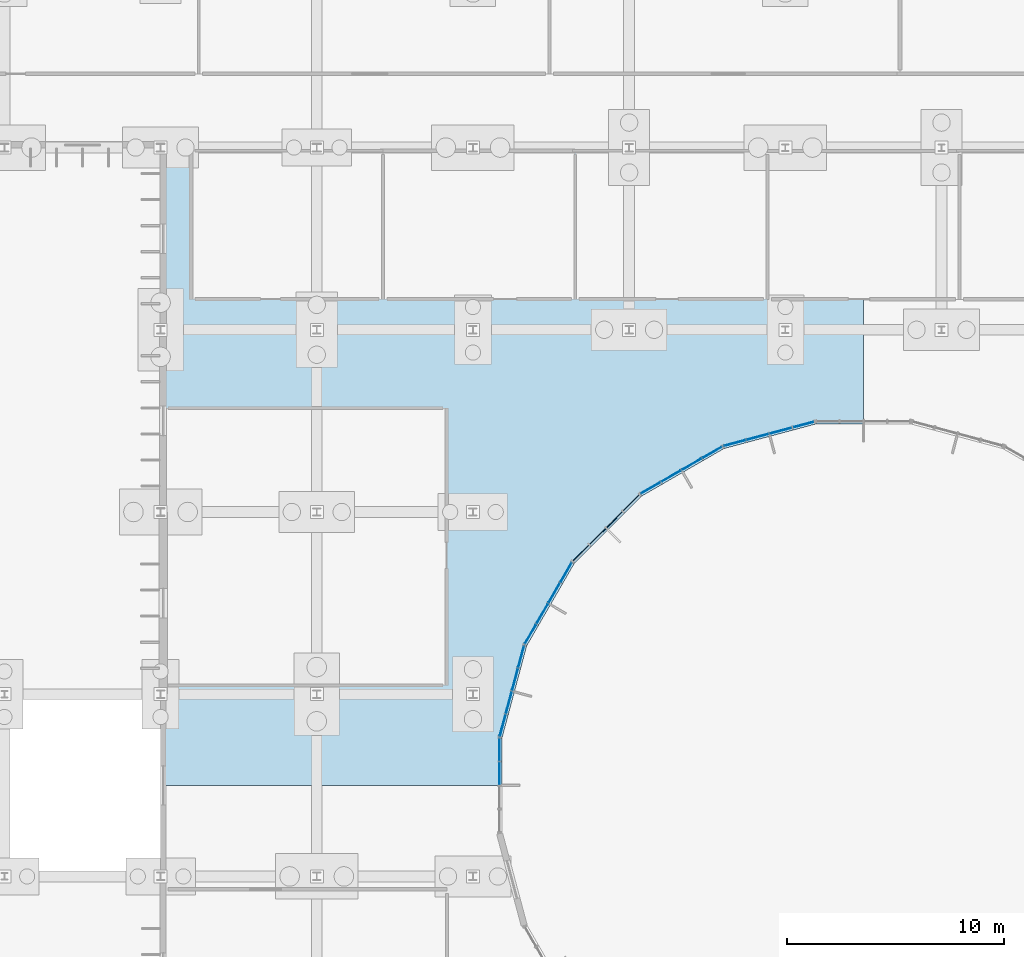
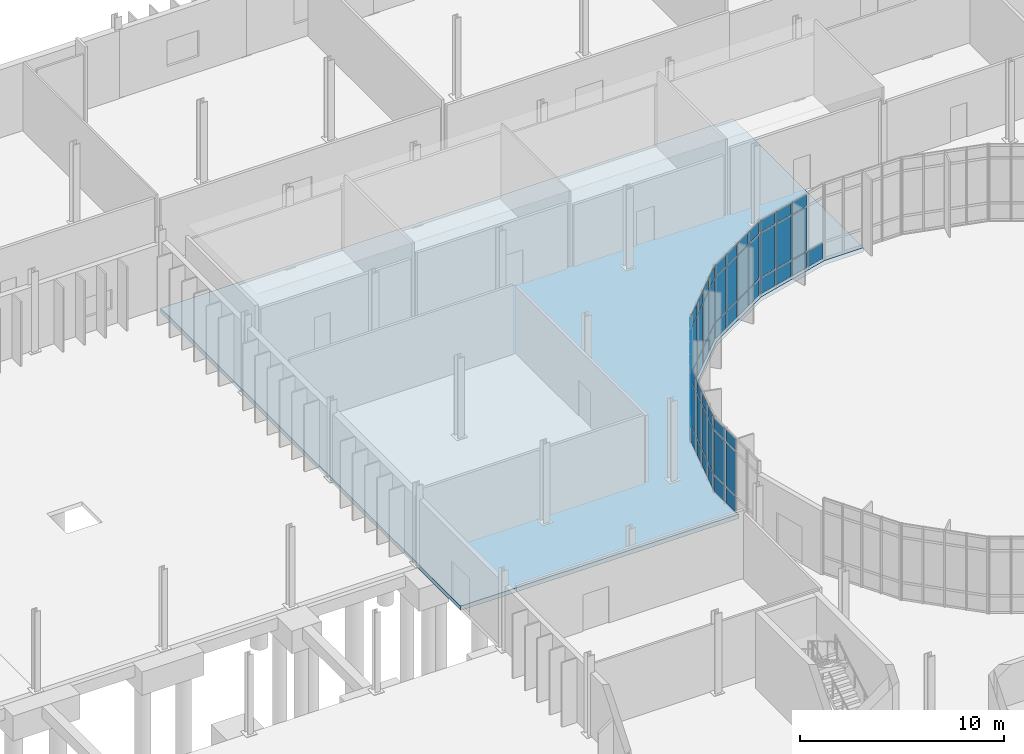
# One storey, part 63 of 118: 64 plates, 1 slab, 6 elements without a shape of their own.
"""IFC4 building model written with IfcOpenShell, lengths in metres."""

from ifc_helpers import new_model, si_unit, direction, frame, origin, origin_2d, place, context, subcontext, project, spatial, polyline, rectangle, outline, extrude, material, layer, layer_set, type_object, element, aggregate, save


model = new_model("IFC4")

# Units and contexts
model_context = context("Model", 3, precision=1e-05, world=origin(), true_north=direction((0.0, 1.0)))
body_context = subcontext(model_context, "Body", "Model", "MODEL_VIEW")
ifc_project = project(units=[si_unit("LENGTHUNIT", "METRE"), si_unit("AREAUNIT", "SQUARE_METRE"), si_unit("VOLUMEUNIT", "CUBIC_METRE"), si_unit("PLANEANGLEUNIT", "RADIAN"), si_unit("MASSUNIT", "GRAM", prefix="KILO")], contexts=[model_context])

# Site, building, storey
site_placement = place(None, origin())
site = spatial("IfcSite", under=ifc_project, at=site_placement, CompositionType="ELEMENT")
building_placement = place(site_placement, origin())
building = spatial("IfcBuilding", under=site, at=building_placement, Name="Qelthora Terrace Specialist Clinic", CompositionType="ELEMENT")
storey_placement = place(building_placement, origin())
storey = spatial("IfcBuildingStorey", under=building, at=storey_placement, Name="L00", CompositionType="ELEMENT", Elevation=0.0)

# Curtain wall, plates
ifc_material_1 = material(Name="Aluminium anodized bronze", Category="aluminium")
curtain_wall_type = type_object("IfcCurtainWallType", Name="CW-CRTE-L00", PredefinedType="NOTDEFINED", material=ifc_material_1)
curtain_wall_1_placement = place(storey_placement, origin())
curtain_wall_1 = element("IfcCurtainWall", 1, at=curtain_wall_1_placement, inside=storey, type_object=curtain_wall_type, Name="Curtain wall CW-CE-L00-07", PredefinedType="NOTDEFINED")
ifc_material_2 = material(Name="Low-E triple-silver insulating glass", Category="glass")
ifc_layer_1 = layer(ifc_material_2, 0.035888671875)
ifc_layer_set_1 = layer_set([ifc_layer_1], Name="Low-E triple-silver insulating glass")
plate_type = type_object("IfcPlateType", Name="CWP-IGU-36", PredefinedType="CURTAIN_PANEL", material=ifc_layer_set_1)
plate_1_placement = place(storey_placement, frame((123.24658203125, 79.63037109375, 0.0849609375), z_axis=(0.0, 0.0, 1.0), x_axis=(-0.965925826289, -0.258819045103, 0.0)))
plate_1 = element("IfcPlate", 2, at=plate_1_placement, type_object=plate_type, Name="CW-CE-L00-07 glazed panel 1", PredefinedType="CURTAIN_PANEL", context=body_context, shape_type="SweptSolid", body=[
    extrude(rectangle(XDim=0.996337890625, YDim=0.035888671875, at=origin_2d()), origin(), (0.0, 0.0, 1.0), 0.919921875),
])
plate_2_placement = place(storey_placement, frame((122.1875, 79.346435546875, 0.0849609375), z_axis=(0.0, 0.0, 1.0), x_axis=(-0.965925826289, -0.258819045103, 0.0)))
plate_2 = element("IfcPlate", 3, at=plate_2_placement, type_object=plate_type, Name="CW-CE-L00-07 glazed panel 4", PredefinedType="CURTAIN_PANEL", context=body_context, shape_type="SweptSolid", body=[
    extrude(rectangle(XDim=0.996337890625, YDim=0.035888671875, at=origin_2d()), origin(), (0.0, 0.0, 1.0), 0.919921875),
])
plate_3_placement = place(storey_placement, frame((122.1875, 79.346435546875, 1.094970703125), z_axis=(0.0, 0.0, 1.0), x_axis=(-0.965925826289, -0.258819045103, 0.0)))
plate_3 = element("IfcPlate", 4, at=plate_3_placement, type_object=plate_type, Name="CW-CE-L00-07 glazed panel 5", PredefinedType="CURTAIN_PANEL", context=body_context, shape_type="SweptSolid", body=[
    extrude(rectangle(XDim=0.996337890625, YDim=0.035888671875, at=origin_2d()), origin(), (0.0, 0.0, 1.0), 2.60498046875),
])
plate_4_placement = place(storey_placement, frame((122.1875, 79.346435546875, 3.7900390625), z_axis=(0.0, 0.0, 1.0), x_axis=(-0.965925826289, -0.258819045103, 0.0)))
plate_4 = element("IfcPlate", 5, at=plate_4_placement, type_object=plate_type, Name="CW-CE-L00-07 glazed panel 6", PredefinedType="CURTAIN_PANEL", context=body_context, shape_type="SweptSolid", body=[
    extrude(rectangle(XDim=0.996337890625, YDim=0.035888671875, at=origin_2d()), origin(), (0.0, 0.0, 1.0), 0.669921875),
])
plate_5_placement = place(storey_placement, frame((121.12841796875, 79.062744140625, 0.0849609375), z_axis=(0.0, 0.0, 1.0), x_axis=(-0.965925826289, -0.258819045103, 0.0)))
plate_5 = element("IfcPlate", 6, at=plate_5_placement, type_object=plate_type, Name="CW-CE-L00-07 glazed panel 7", PredefinedType="CURTAIN_PANEL", context=body_context, shape_type="SweptSolid", body=[
    extrude(rectangle(XDim=0.996337890625, YDim=0.035888671875, at=origin_2d()), origin(), (0.0, 0.0, 1.0), 0.919921875),
])
plate_6_placement = place(storey_placement, frame((121.12841796875, 79.062744140625, 1.094970703125), z_axis=(0.0, 0.0, 1.0), x_axis=(-0.965925826289, -0.258819045103, 0.0)))
plate_6 = element("IfcPlate", 7, at=plate_6_placement, type_object=plate_type, Name="CW-CE-L00-07 glazed panel 8", PredefinedType="CURTAIN_PANEL", context=body_context, shape_type="SweptSolid", body=[
    extrude(rectangle(XDim=0.996337890625, YDim=0.035888671875, at=origin_2d()), origin(), (0.0, 0.0, 1.0), 2.60498046875),
])
plate_7_placement = place(storey_placement, frame((121.12841796875, 79.062744140625, 3.7900390625), z_axis=(0.0, 0.0, 1.0), x_axis=(-0.965925826289, -0.258819045103, 0.0)))
plate_7 = element("IfcPlate", 8, at=plate_7_placement, type_object=plate_type, Name="CW-CE-L00-07 glazed panel 9", PredefinedType="CURTAIN_PANEL", context=body_context, shape_type="SweptSolid", body=[
    extrude(rectangle(XDim=0.996337890625, YDim=0.035888671875, at=origin_2d()), origin(), (0.0, 0.0, 1.0), 0.669921875),
])
plate_8_placement = place(storey_placement, frame((120.0693359375, 78.779052734375, 0.0849609375), z_axis=(0.0, 0.0, 1.0), x_axis=(-0.965925826289, -0.258819045103, 0.0)))
plate_8 = element("IfcPlate", 9, at=plate_8_placement, type_object=plate_type, Name="CW-CE-L00-07 glazed panel 10", PredefinedType="CURTAIN_PANEL", context=body_context, shape_type="SweptSolid", body=[
    extrude(rectangle(XDim=0.996337890625, YDim=0.035888671875, at=origin_2d()), origin(), (0.0, 0.0, 1.0), 0.919921875),
])
plate_9_placement = place(storey_placement, frame((120.0693359375, 78.779052734375, 1.094970703125), z_axis=(0.0, 0.0, 1.0), x_axis=(-0.965925826289, -0.258819045103, 0.0)))
plate_9 = element("IfcPlate", 10, at=plate_9_placement, type_object=plate_type, Name="CW-CE-L00-07 glazed panel 11", PredefinedType="CURTAIN_PANEL", context=body_context, shape_type="SweptSolid", body=[
    extrude(rectangle(XDim=0.996337890625, YDim=0.035888671875, at=origin_2d()), origin(), (0.0, 0.0, 1.0), 2.60498046875),
])
plate_10_placement = place(storey_placement, frame((120.0693359375, 78.779052734375, 3.7900390625), z_axis=(0.0, 0.0, 1.0), x_axis=(-0.965925826289, -0.258819045103, 0.0)))
plate_10 = element("IfcPlate", 11, at=plate_10_placement, type_object=plate_type, Name="CW-CE-L00-07 glazed panel 12", PredefinedType="CURTAIN_PANEL", context=body_context, shape_type="SweptSolid", body=[
    extrude(rectangle(XDim=0.996337890625, YDim=0.035888671875, at=origin_2d()), origin(), (0.0, 0.0, 1.0), 0.669921875),
])
aggregate(curtain_wall_1, [plate_1, plate_2, plate_3, plate_4, plate_5, plate_6, plate_7, plate_8, plate_9, plate_10])

curtain_wall_2_placement = place(storey_placement, origin())
curtain_wall_2 = element("IfcCurtainWall", 12, at=curtain_wall_2_placement, inside=storey, type_object=curtain_wall_type, Name="Curtain wall CW-CE-L00-08", PredefinedType="NOTDEFINED")
plate_11_placement = place(storey_placement, frame((119.0361328125, 78.35107421875, 0.0849609375), z_axis=(0.0, 0.0, 1.0), x_axis=(-0.866025403784, -0.5, 0.0)))
plate_11 = element("IfcPlate", 13, at=plate_11_placement, type_object=plate_type, Name="CW-CE-L00-08 glazed panel 1", PredefinedType="CURTAIN_PANEL", context=body_context, shape_type="SweptSolid", body=[
    extrude(rectangle(XDim=0.996337890625, YDim=0.035888671875, at=origin_2d()), origin(), (0.0, 0.0, 1.0), 0.919921875),
])
plate_12_placement = place(storey_placement, frame((119.0361328125, 78.35107421875, 1.094970703125), z_axis=(0.0, 0.0, 1.0), x_axis=(-0.866025403784, -0.5, 0.0)))
plate_12 = element("IfcPlate", 14, at=plate_12_placement, type_object=plate_type, Name="CW-CE-L00-08 glazed panel 2", PredefinedType="CURTAIN_PANEL", context=body_context, shape_type="SweptSolid", body=[
    extrude(rectangle(XDim=0.996337890625, YDim=0.035888671875, at=origin_2d()), origin(), (0.0, 0.0, 1.0), 2.60498046875),
])
plate_13_placement = place(storey_placement, frame((119.0361328125, 78.35107421875, 3.7900390625), z_axis=(0.0, 0.0, 1.0), x_axis=(-0.866025403784, -0.5, 0.0)))
plate_13 = element("IfcPlate", 15, at=plate_13_placement, type_object=plate_type, Name="CW-CE-L00-08 glazed panel 3", PredefinedType="CURTAIN_PANEL", context=body_context, shape_type="SweptSolid", body=[
    extrude(rectangle(XDim=0.996337890625, YDim=0.035888671875, at=origin_2d()), origin(), (0.0, 0.0, 1.0), 0.669921875),
])
plate_14_placement = place(storey_placement, frame((118.086669921875, 77.802734375, 0.0849609375), z_axis=(0.0, 0.0, 1.0), x_axis=(-0.866025403784, -0.5, 0.0)))
plate_14 = element("IfcPlate", 16, at=plate_14_placement, type_object=plate_type, Name="CW-CE-L00-08 glazed panel 4", PredefinedType="CURTAIN_PANEL", context=body_context, shape_type="SweptSolid", body=[
    extrude(rectangle(XDim=0.996337890625, YDim=0.035888671875, at=origin_2d()), origin(), (0.0, 0.0, 1.0), 0.919921875),
])
plate_15_placement = place(storey_placement, frame((118.086669921875, 77.802734375, 1.094970703125), z_axis=(0.0, 0.0, 1.0), x_axis=(-0.866025403784, -0.5, 0.0)))
plate_15 = element("IfcPlate", 17, at=plate_15_placement, type_object=plate_type, Name="CW-CE-L00-08 glazed panel 5", PredefinedType="CURTAIN_PANEL", context=body_context, shape_type="SweptSolid", body=[
    extrude(rectangle(XDim=0.996337890625, YDim=0.035888671875, at=origin_2d()), origin(), (0.0, 0.0, 1.0), 2.60498046875),
])
plate_16_placement = place(storey_placement, frame((118.086669921875, 77.802734375, 3.7900390625), z_axis=(0.0, 0.0, 1.0), x_axis=(-0.866025403784, -0.5, 0.0)))
plate_16 = element("IfcPlate", 18, at=plate_16_placement, type_object=plate_type, Name="CW-CE-L00-08 glazed panel 6", PredefinedType="CURTAIN_PANEL", context=body_context, shape_type="SweptSolid", body=[
    extrude(rectangle(XDim=0.996337890625, YDim=0.035888671875, at=origin_2d()), origin(), (0.0, 0.0, 1.0), 0.669921875),
])
plate_17_placement = place(storey_placement, frame((117.13720703125, 77.254638671875, 0.0849609375), z_axis=(0.0, 0.0, 1.0), x_axis=(-0.866025403784, -0.5, 0.0)))
plate_17 = element("IfcPlate", 19, at=plate_17_placement, type_object=plate_type, Name="CW-CE-L00-08 glazed panel 7", PredefinedType="CURTAIN_PANEL", context=body_context, shape_type="SweptSolid", body=[
    extrude(rectangle(XDim=0.996337890625, YDim=0.035888671875, at=origin_2d()), origin(), (0.0, 0.0, 1.0), 0.919921875),
])
plate_18_placement = place(storey_placement, frame((117.13720703125, 77.254638671875, 1.094970703125), z_axis=(0.0, 0.0, 1.0), x_axis=(-0.866025403784, -0.5, 0.0)))
plate_18 = element("IfcPlate", 20, at=plate_18_placement, type_object=plate_type, Name="CW-CE-L00-08 glazed panel 8", PredefinedType="CURTAIN_PANEL", context=body_context, shape_type="SweptSolid", body=[
    extrude(rectangle(XDim=0.996337890625, YDim=0.035888671875, at=origin_2d()), origin(), (0.0, 0.0, 1.0), 2.60498046875),
])
plate_19_placement = place(storey_placement, frame((117.13720703125, 77.254638671875, 3.7900390625), z_axis=(0.0, 0.0, 1.0), x_axis=(-0.866025403784, -0.5, 0.0)))
plate_19 = element("IfcPlate", 21, at=plate_19_placement, type_object=plate_type, Name="CW-CE-L00-08 glazed panel 9", PredefinedType="CURTAIN_PANEL", context=body_context, shape_type="SweptSolid", body=[
    extrude(rectangle(XDim=0.996337890625, YDim=0.035888671875, at=origin_2d()), origin(), (0.0, 0.0, 1.0), 0.669921875),
])
plate_20_placement = place(storey_placement, frame((116.1875, 76.706298828125, 0.0849609375), z_axis=(0.0, 0.0, 1.0), x_axis=(-0.866025403784, -0.5, 0.0)))
plate_20 = element("IfcPlate", 22, at=plate_20_placement, type_object=plate_type, Name="CW-CE-L00-08 glazed panel 10", PredefinedType="CURTAIN_PANEL", context=body_context, shape_type="SweptSolid", body=[
    extrude(rectangle(XDim=0.996337890625, YDim=0.035888671875, at=origin_2d()), origin(), (0.0, 0.0, 1.0), 0.919921875),
])
plate_21_placement = place(storey_placement, frame((116.1875, 76.706298828125, 1.094970703125), z_axis=(0.0, 0.0, 1.0), x_axis=(-0.866025403784, -0.5, 0.0)))
plate_21 = element("IfcPlate", 23, at=plate_21_placement, type_object=plate_type, Name="CW-CE-L00-08 glazed panel 11", PredefinedType="CURTAIN_PANEL", context=body_context, shape_type="SweptSolid", body=[
    extrude(rectangle(XDim=0.996337890625, YDim=0.035888671875, at=origin_2d()), origin(), (0.0, 0.0, 1.0), 2.60498046875),
])
plate_22_placement = place(storey_placement, frame((116.1875, 76.706298828125, 3.7900390625), z_axis=(0.0, 0.0, 1.0), x_axis=(-0.866025403784, -0.5, 0.0)))
plate_22 = element("IfcPlate", 24, at=plate_22_placement, type_object=plate_type, Name="CW-CE-L00-08 glazed panel 12", PredefinedType="CURTAIN_PANEL", context=body_context, shape_type="SweptSolid", body=[
    extrude(rectangle(XDim=0.996337890625, YDim=0.035888671875, at=origin_2d()), origin(), (0.0, 0.0, 1.0), 0.669921875),
])
aggregate(curtain_wall_2, [plate_11, plate_12, plate_13, plate_14, plate_15, plate_16, plate_17, plate_18, plate_19, plate_20, plate_21, plate_22])

curtain_wall_3_placement = place(storey_placement, origin())
curtain_wall_3 = element("IfcCurtainWall", 25, at=curtain_wall_3_placement, inside=storey, type_object=curtain_wall_type, Name="Curtain wall CW-CE-L00-09", PredefinedType="NOTDEFINED")
plate_23_placement = place(storey_placement, frame((115.30029296875, 76.025634765625, 0.0849609375), z_axis=(0.0, 0.0, 1.0), x_axis=(-0.707106781187, -0.707106781187, 0.0)))
plate_23 = element("IfcPlate", 26, at=plate_23_placement, type_object=plate_type, Name="CW-CE-L00-09 glazed panel 1", PredefinedType="CURTAIN_PANEL", context=body_context, shape_type="SweptSolid", body=[
    extrude(rectangle(XDim=0.996337890625, YDim=0.035888671875, at=origin_2d()), origin(), (0.0, 0.0, 1.0), 0.919921875),
])
plate_24_placement = place(storey_placement, frame((115.30029296875, 76.025634765625, 1.094970703125), z_axis=(0.0, 0.0, 1.0), x_axis=(-0.707106781187, -0.707106781187, 0.0)))
plate_24 = element("IfcPlate", 27, at=plate_24_placement, type_object=plate_type, Name="CW-CE-L00-09 glazed panel 2", PredefinedType="CURTAIN_PANEL", context=body_context, shape_type="SweptSolid", body=[
    extrude(rectangle(XDim=0.996337890625, YDim=0.035888671875, at=origin_2d()), origin(), (0.0, 0.0, 1.0), 2.60498046875),
])
plate_25_placement = place(storey_placement, frame((115.30029296875, 76.025634765625, 3.7900390625), z_axis=(0.0, 0.0, 1.0), x_axis=(-0.707106781187, -0.707106781187, 0.0)))
plate_25 = element("IfcPlate", 28, at=plate_25_placement, type_object=plate_type, Name="CW-CE-L00-09 glazed panel 3", PredefinedType="CURTAIN_PANEL", context=body_context, shape_type="SweptSolid", body=[
    extrude(rectangle(XDim=0.996337890625, YDim=0.035888671875, at=origin_2d()), origin(), (0.0, 0.0, 1.0), 0.669921875),
])
plate_26_placement = place(storey_placement, frame((114.525146484375, 75.250244140625, 0.0849609375), z_axis=(0.0, 0.0, 1.0), x_axis=(-0.707106781187, -0.707106781187, 0.0)))
plate_26 = element("IfcPlate", 29, at=plate_26_placement, type_object=plate_type, Name="CW-CE-L00-09 glazed panel 4", PredefinedType="CURTAIN_PANEL", context=body_context, shape_type="SweptSolid", body=[
    extrude(rectangle(XDim=0.996337890625, YDim=0.035888671875, at=origin_2d()), origin(), (0.0, 0.0, 1.0), 0.919921875),
])
plate_27_placement = place(storey_placement, frame((114.525146484375, 75.250244140625, 1.094970703125), z_axis=(0.0, 0.0, 1.0), x_axis=(-0.707106781187, -0.707106781187, 0.0)))
plate_27 = element("IfcPlate", 30, at=plate_27_placement, type_object=plate_type, Name="CW-CE-L00-09 glazed panel 5", PredefinedType="CURTAIN_PANEL", context=body_context, shape_type="SweptSolid", body=[
    extrude(rectangle(XDim=0.996337890625, YDim=0.035888671875, at=origin_2d()), origin(), (0.0, 0.0, 1.0), 2.60498046875),
])
plate_28_placement = place(storey_placement, frame((114.525146484375, 75.250244140625, 3.7900390625), z_axis=(0.0, 0.0, 1.0), x_axis=(-0.707106781187, -0.707106781187, 0.0)))
plate_28 = element("IfcPlate", 31, at=plate_28_placement, type_object=plate_type, Name="CW-CE-L00-09 glazed panel 6", PredefinedType="CURTAIN_PANEL", context=body_context, shape_type="SweptSolid", body=[
    extrude(rectangle(XDim=0.996337890625, YDim=0.035888671875, at=origin_2d()), origin(), (0.0, 0.0, 1.0), 0.669921875),
])
plate_29_placement = place(storey_placement, frame((113.749755859375, 74.474853515625, 0.0849609375), z_axis=(0.0, 0.0, 1.0), x_axis=(-0.707106781187, -0.707106781187, 0.0)))
plate_29 = element("IfcPlate", 32, at=plate_29_placement, type_object=plate_type, Name="CW-CE-L00-09 glazed panel 7", PredefinedType="CURTAIN_PANEL", context=body_context, shape_type="SweptSolid", body=[
    extrude(rectangle(XDim=0.996337890625, YDim=0.035888671875, at=origin_2d()), origin(), (0.0, 0.0, 1.0), 0.919921875),
])
plate_30_placement = place(storey_placement, frame((113.749755859375, 74.474853515625, 1.094970703125), z_axis=(0.0, 0.0, 1.0), x_axis=(-0.707106781187, -0.707106781187, 0.0)))
plate_30 = element("IfcPlate", 33, at=plate_30_placement, type_object=plate_type, Name="CW-CE-L00-09 glazed panel 8", PredefinedType="CURTAIN_PANEL", context=body_context, shape_type="SweptSolid", body=[
    extrude(rectangle(XDim=0.996337890625, YDim=0.035888671875, at=origin_2d()), origin(), (0.0, 0.0, 1.0), 2.60498046875),
])
plate_31_placement = place(storey_placement, frame((113.749755859375, 74.474853515625, 3.7900390625), z_axis=(0.0, 0.0, 1.0), x_axis=(-0.707106781187, -0.707106781187, 0.0)))
plate_31 = element("IfcPlate", 34, at=plate_31_placement, type_object=plate_type, Name="CW-CE-L00-09 glazed panel 9", PredefinedType="CURTAIN_PANEL", context=body_context, shape_type="SweptSolid", body=[
    extrude(rectangle(XDim=0.996337890625, YDim=0.035888671875, at=origin_2d()), origin(), (0.0, 0.0, 1.0), 0.669921875),
])
plate_32_placement = place(storey_placement, frame((112.974365234375, 73.69970703125, 0.0849609375), z_axis=(0.0, 0.0, 1.0), x_axis=(-0.707106781187, -0.707106781187, 0.0)))
plate_32 = element("IfcPlate", 35, at=plate_32_placement, type_object=plate_type, Name="CW-CE-L00-09 glazed panel 10", PredefinedType="CURTAIN_PANEL", context=body_context, shape_type="SweptSolid", body=[
    extrude(rectangle(XDim=0.996337890625, YDim=0.035888671875, at=origin_2d()), origin(), (0.0, 0.0, 1.0), 0.919921875),
])
plate_33_placement = place(storey_placement, frame((112.974365234375, 73.69970703125, 1.094970703125), z_axis=(0.0, 0.0, 1.0), x_axis=(-0.707106781187, -0.707106781187, 0.0)))
plate_33 = element("IfcPlate", 36, at=plate_33_placement, type_object=plate_type, Name="CW-CE-L00-09 glazed panel 11", PredefinedType="CURTAIN_PANEL", context=body_context, shape_type="SweptSolid", body=[
    extrude(rectangle(XDim=0.996337890625, YDim=0.035888671875, at=origin_2d()), origin(), (0.0, 0.0, 1.0), 2.60498046875),
])
plate_34_placement = place(storey_placement, frame((112.974365234375, 73.69970703125, 3.7900390625), z_axis=(0.0, 0.0, 1.0), x_axis=(-0.707106781187, -0.707106781187, 0.0)))
plate_34 = element("IfcPlate", 37, at=plate_34_placement, type_object=plate_type, Name="CW-CE-L00-09 glazed panel 12", PredefinedType="CURTAIN_PANEL", context=body_context, shape_type="SweptSolid", body=[
    extrude(rectangle(XDim=0.996337890625, YDim=0.035888671875, at=origin_2d()), origin(), (0.0, 0.0, 1.0), 0.669921875),
])
aggregate(curtain_wall_3, [plate_23, plate_24, plate_25, plate_26, plate_27, plate_28, plate_29, plate_30, plate_31, plate_32, plate_33, plate_34])

curtain_wall_4_placement = place(storey_placement, origin())
curtain_wall_4 = element("IfcCurtainWall", 38, at=curtain_wall_4_placement, inside=storey, type_object=curtain_wall_type, Name="Curtain wall CW-CE-L00-10", PredefinedType="NOTDEFINED")
plate_35_placement = place(storey_placement, frame((112.293701171875, 72.8125, 0.0849609375), z_axis=(0.0, 0.0, 1.0), x_axis=(-0.5, -0.866025403784, 0.0)))
plate_35 = element("IfcPlate", 39, at=plate_35_placement, type_object=plate_type, Name="CW-CE-L00-10 glazed panel 1", PredefinedType="CURTAIN_PANEL", context=body_context, shape_type="SweptSolid", body=[
    extrude(rectangle(XDim=0.996337890625, YDim=0.035888671875, at=origin_2d()), origin(), (0.0, 0.0, 1.0), 0.919921875),
])
plate_36_placement = place(storey_placement, frame((112.293701171875, 72.8125, 1.094970703125), z_axis=(0.0, 0.0, 1.0), x_axis=(-0.5, -0.866025403784, 0.0)))
plate_36 = element("IfcPlate", 40, at=plate_36_placement, type_object=plate_type, Name="CW-CE-L00-10 glazed panel 2", PredefinedType="CURTAIN_PANEL", context=body_context, shape_type="SweptSolid", body=[
    extrude(rectangle(XDim=0.996337890625, YDim=0.035888671875, at=origin_2d()), origin(), (0.0, 0.0, 1.0), 2.60498046875),
])
plate_37_placement = place(storey_placement, frame((112.293701171875, 72.8125, 3.7900390625), z_axis=(0.0, 0.0, 1.0), x_axis=(-0.5, -0.866025403784, 0.0)))
plate_37 = element("IfcPlate", 41, at=plate_37_placement, type_object=plate_type, Name="CW-CE-L00-10 glazed panel 3", PredefinedType="CURTAIN_PANEL", context=body_context, shape_type="SweptSolid", body=[
    extrude(rectangle(XDim=0.996337890625, YDim=0.035888671875, at=origin_2d()), origin(), (0.0, 0.0, 1.0), 0.669921875),
])
plate_38_placement = place(storey_placement, frame((111.745361328125, 71.86279296875, 0.0849609375), z_axis=(0.0, 0.0, 1.0), x_axis=(-0.5, -0.866025403784, 0.0)))
plate_38 = element("IfcPlate", 42, at=plate_38_placement, type_object=plate_type, Name="CW-CE-L00-10 glazed panel 4", PredefinedType="CURTAIN_PANEL", context=body_context, shape_type="SweptSolid", body=[
    extrude(rectangle(XDim=0.996337890625, YDim=0.035888671875, at=origin_2d()), origin(), (0.0, 0.0, 1.0), 0.919921875),
])
plate_39_placement = place(storey_placement, frame((111.745361328125, 71.86279296875, 1.094970703125), z_axis=(0.0, 0.0, 1.0), x_axis=(-0.5, -0.866025403784, 0.0)))
plate_39 = element("IfcPlate", 43, at=plate_39_placement, type_object=plate_type, Name="CW-CE-L00-10 glazed panel 5", PredefinedType="CURTAIN_PANEL", context=body_context, shape_type="SweptSolid", body=[
    extrude(rectangle(XDim=0.996337890625, YDim=0.035888671875, at=origin_2d()), origin(), (0.0, 0.0, 1.0), 2.60498046875),
])
plate_40_placement = place(storey_placement, frame((111.745361328125, 71.86279296875, 3.7900390625), z_axis=(0.0, 0.0, 1.0), x_axis=(-0.5, -0.866025403784, 0.0)))
plate_40 = element("IfcPlate", 44, at=plate_40_placement, type_object=plate_type, Name="CW-CE-L00-10 glazed panel 6", PredefinedType="CURTAIN_PANEL", context=body_context, shape_type="SweptSolid", body=[
    extrude(rectangle(XDim=0.996337890625, YDim=0.035888671875, at=origin_2d()), origin(), (0.0, 0.0, 1.0), 0.669921875),
])
plate_41_placement = place(storey_placement, frame((111.197265625, 70.913330078125, 0.0849609375), z_axis=(0.0, 0.0, 1.0), x_axis=(-0.5, -0.866025403784, 0.0)))
plate_41 = element("IfcPlate", 45, at=plate_41_placement, type_object=plate_type, Name="CW-CE-L00-10 glazed panel 7", PredefinedType="CURTAIN_PANEL", context=body_context, shape_type="SweptSolid", body=[
    extrude(rectangle(XDim=0.996337890625, YDim=0.035888671875, at=origin_2d()), origin(), (0.0, 0.0, 1.0), 0.919921875),
])
plate_42_placement = place(storey_placement, frame((111.197265625, 70.913330078125, 1.094970703125), z_axis=(0.0, 0.0, 1.0), x_axis=(-0.5, -0.866025403784, 0.0)))
plate_42 = element("IfcPlate", 46, at=plate_42_placement, type_object=plate_type, Name="CW-CE-L00-10 glazed panel 8", PredefinedType="CURTAIN_PANEL", context=body_context, shape_type="SweptSolid", body=[
    extrude(rectangle(XDim=0.996337890625, YDim=0.035888671875, at=origin_2d()), origin(), (0.0, 0.0, 1.0), 2.60498046875),
])
plate_43_placement = place(storey_placement, frame((111.197265625, 70.913330078125, 3.7900390625), z_axis=(0.0, 0.0, 1.0), x_axis=(-0.5, -0.866025403784, 0.0)))
plate_43 = element("IfcPlate", 47, at=plate_43_placement, type_object=plate_type, Name="CW-CE-L00-10 glazed panel 9", PredefinedType="CURTAIN_PANEL", context=body_context, shape_type="SweptSolid", body=[
    extrude(rectangle(XDim=0.996337890625, YDim=0.035888671875, at=origin_2d()), origin(), (0.0, 0.0, 1.0), 0.669921875),
])
plate_44_placement = place(storey_placement, frame((110.64892578125, 69.9638671875, 0.0849609375), z_axis=(0.0, 0.0, 1.0), x_axis=(-0.5, -0.866025403784, 0.0)))
plate_44 = element("IfcPlate", 48, at=plate_44_placement, type_object=plate_type, Name="CW-CE-L00-10 glazed panel 10", PredefinedType="CURTAIN_PANEL", context=body_context, shape_type="SweptSolid", body=[
    extrude(rectangle(XDim=0.996337890625, YDim=0.035888671875, at=origin_2d()), origin(), (0.0, 0.0, 1.0), 0.919921875),
])
plate_45_placement = place(storey_placement, frame((110.64892578125, 69.9638671875, 1.094970703125), z_axis=(0.0, 0.0, 1.0), x_axis=(-0.5, -0.866025403784, 0.0)))
plate_45 = element("IfcPlate", 49, at=plate_45_placement, type_object=plate_type, Name="CW-CE-L00-10 glazed panel 11", PredefinedType="CURTAIN_PANEL", context=body_context, shape_type="SweptSolid", body=[
    extrude(rectangle(XDim=0.996337890625, YDim=0.035888671875, at=origin_2d()), origin(), (0.0, 0.0, 1.0), 2.60498046875),
])
plate_46_placement = place(storey_placement, frame((110.64892578125, 69.9638671875, 3.7900390625), z_axis=(0.0, 0.0, 1.0), x_axis=(-0.5, -0.866025403784, 0.0)))
plate_46 = element("IfcPlate", 50, at=plate_46_placement, type_object=plate_type, Name="CW-CE-L00-10 glazed panel 12", PredefinedType="CURTAIN_PANEL", context=body_context, shape_type="SweptSolid", body=[
    extrude(rectangle(XDim=0.996337890625, YDim=0.035888671875, at=origin_2d()), origin(), (0.0, 0.0, 1.0), 0.669921875),
])
aggregate(curtain_wall_4, [plate_35, plate_36, plate_37, plate_38, plate_39, plate_40, plate_41, plate_42, plate_43, plate_44, plate_45, plate_46])

curtain_wall_5_placement = place(storey_placement, origin())
curtain_wall_5 = element("IfcCurtainWall", 51, at=curtain_wall_5_placement, inside=storey, type_object=curtain_wall_type, Name="Curtain wall CW-CE-L00-11", PredefinedType="NOTDEFINED")
plate_47_placement = place(storey_placement, frame((110.220947265625, 68.9306640625, 0.0849609375), z_axis=(0.0, 0.0, 1.0), x_axis=(-0.258819045103, -0.965925826289, 0.0)))
plate_47 = element("IfcPlate", 52, at=plate_47_placement, type_object=plate_type, Name="CW-CE-L00-11 glazed panel 1", PredefinedType="CURTAIN_PANEL", context=body_context, shape_type="SweptSolid", body=[
    extrude(rectangle(XDim=0.996337890625, YDim=0.035888671875, at=origin_2d()), origin(), (0.0, 0.0, 1.0), 0.919921875),
])
plate_48_placement = place(storey_placement, frame((110.220947265625, 68.9306640625, 1.094970703125), z_axis=(0.0, 0.0, 1.0), x_axis=(-0.258819045103, -0.965925826289, 0.0)))
plate_48 = element("IfcPlate", 53, at=plate_48_placement, type_object=plate_type, Name="CW-CE-L00-11 glazed panel 2", PredefinedType="CURTAIN_PANEL", context=body_context, shape_type="SweptSolid", body=[
    extrude(rectangle(XDim=0.996337890625, YDim=0.035888671875, at=origin_2d()), origin(), (0.0, 0.0, 1.0), 2.60498046875),
])
plate_49_placement = place(storey_placement, frame((110.220947265625, 68.9306640625, 3.7900390625), z_axis=(0.0, 0.0, 1.0), x_axis=(-0.258819045103, -0.965925826289, 0.0)))
plate_49 = element("IfcPlate", 54, at=plate_49_placement, type_object=plate_type, Name="CW-CE-L00-11 glazed panel 3", PredefinedType="CURTAIN_PANEL", context=body_context, shape_type="SweptSolid", body=[
    extrude(rectangle(XDim=0.996337890625, YDim=0.035888671875, at=origin_2d()), origin(), (0.0, 0.0, 1.0), 0.669921875),
])
plate_50_placement = place(storey_placement, frame((109.937255859375, 67.87158203125, 0.0849609375), z_axis=(0.0, 0.0, 1.0), x_axis=(-0.258819045103, -0.965925826289, 0.0)))
plate_50 = element("IfcPlate", 55, at=plate_50_placement, type_object=plate_type, Name="CW-CE-L00-11 glazed panel 4", PredefinedType="CURTAIN_PANEL", context=body_context, shape_type="SweptSolid", body=[
    extrude(rectangle(XDim=0.996337890625, YDim=0.035888671875, at=origin_2d()), origin(), (0.0, 0.0, 1.0), 0.919921875),
])
plate_51_placement = place(storey_placement, frame((109.937255859375, 67.87158203125, 1.094970703125), z_axis=(0.0, 0.0, 1.0), x_axis=(-0.258819045103, -0.965925826289, 0.0)))
plate_51 = element("IfcPlate", 56, at=plate_51_placement, type_object=plate_type, Name="CW-CE-L00-11 glazed panel 5", PredefinedType="CURTAIN_PANEL", context=body_context, shape_type="SweptSolid", body=[
    extrude(rectangle(XDim=0.996337890625, YDim=0.035888671875, at=origin_2d()), origin(), (0.0, 0.0, 1.0), 2.60498046875),
])
plate_52_placement = place(storey_placement, frame((109.937255859375, 67.87158203125, 3.7900390625), z_axis=(0.0, 0.0, 1.0), x_axis=(-0.258819045103, -0.965925826289, 0.0)))
plate_52 = element("IfcPlate", 57, at=plate_52_placement, type_object=plate_type, Name="CW-CE-L00-11 glazed panel 6", PredefinedType="CURTAIN_PANEL", context=body_context, shape_type="SweptSolid", body=[
    extrude(rectangle(XDim=0.996337890625, YDim=0.035888671875, at=origin_2d()), origin(), (0.0, 0.0, 1.0), 0.669921875),
])
plate_53_placement = place(storey_placement, frame((109.653564453125, 66.8125, 0.0849609375), z_axis=(0.0, 0.0, 1.0), x_axis=(-0.258819045103, -0.965925826289, 0.0)))
plate_53 = element("IfcPlate", 58, at=plate_53_placement, type_object=plate_type, Name="CW-CE-L00-11 glazed panel 7", PredefinedType="CURTAIN_PANEL", context=body_context, shape_type="SweptSolid", body=[
    extrude(rectangle(XDim=0.996337890625, YDim=0.035888671875, at=origin_2d()), origin(), (0.0, 0.0, 1.0), 0.919921875),
])
plate_54_placement = place(storey_placement, frame((109.653564453125, 66.8125, 1.094970703125), z_axis=(0.0, 0.0, 1.0), x_axis=(-0.258819045103, -0.965925826289, 0.0)))
plate_54 = element("IfcPlate", 59, at=plate_54_placement, type_object=plate_type, Name="CW-CE-L00-11 glazed panel 8", PredefinedType="CURTAIN_PANEL", context=body_context, shape_type="SweptSolid", body=[
    extrude(rectangle(XDim=0.996337890625, YDim=0.035888671875, at=origin_2d()), origin(), (0.0, 0.0, 1.0), 2.60498046875),
])
plate_55_placement = place(storey_placement, frame((109.653564453125, 66.8125, 3.7900390625), z_axis=(0.0, 0.0, 1.0), x_axis=(-0.258819045103, -0.965925826289, 0.0)))
plate_55 = element("IfcPlate", 60, at=plate_55_placement, type_object=plate_type, Name="CW-CE-L00-11 glazed panel 9", PredefinedType="CURTAIN_PANEL", context=body_context, shape_type="SweptSolid", body=[
    extrude(rectangle(XDim=0.996337890625, YDim=0.035888671875, at=origin_2d()), origin(), (0.0, 0.0, 1.0), 0.669921875),
])
plate_56_placement = place(storey_placement, frame((109.36962890625, 65.75341796875, 0.0849609375), z_axis=(0.0, 0.0, 1.0), x_axis=(-0.258819045103, -0.965925826289, 0.0)))
plate_56 = element("IfcPlate", 61, at=plate_56_placement, type_object=plate_type, Name="CW-CE-L00-11 glazed panel 10", PredefinedType="CURTAIN_PANEL", context=body_context, shape_type="SweptSolid", body=[
    extrude(rectangle(XDim=0.996337890625, YDim=0.035888671875, at=origin_2d()), origin(), (0.0, 0.0, 1.0), 0.919921875),
])
plate_57_placement = place(storey_placement, frame((109.36962890625, 65.75341796875, 1.094970703125), z_axis=(0.0, 0.0, 1.0), x_axis=(-0.258819045103, -0.965925826289, 0.0)))
plate_57 = element("IfcPlate", 62, at=plate_57_placement, type_object=plate_type, Name="CW-CE-L00-11 glazed panel 11", PredefinedType="CURTAIN_PANEL", context=body_context, shape_type="SweptSolid", body=[
    extrude(rectangle(XDim=0.996337890625, YDim=0.035888671875, at=origin_2d()), origin(), (0.0, 0.0, 1.0), 2.60498046875),
])
plate_58_placement = place(storey_placement, frame((109.36962890625, 65.75341796875, 3.7900390625), z_axis=(0.0, 0.0, 1.0), x_axis=(-0.258819045103, -0.965925826289, 0.0)))
plate_58 = element("IfcPlate", 63, at=plate_58_placement, type_object=plate_type, Name="CW-CE-L00-11 glazed panel 12", PredefinedType="CURTAIN_PANEL", context=body_context, shape_type="SweptSolid", body=[
    extrude(rectangle(XDim=0.996337890625, YDim=0.035888671875, at=origin_2d()), origin(), (0.0, 0.0, 1.0), 0.669921875),
])
aggregate(curtain_wall_5, [plate_47, plate_48, plate_49, plate_50, plate_51, plate_52, plate_53, plate_54, plate_55, plate_56, plate_57, plate_58])

curtain_wall_6_placement = place(storey_placement, origin())
curtain_wall_6 = element("IfcCurtainWall", 64, at=curtain_wall_6_placement, inside=storey, type_object=curtain_wall_type, Name="Curtain wall CW-CE-L00-12", PredefinedType="NOTDEFINED")
plate_59_placement = place(storey_placement, frame((109.2236328125, 64.64453125, 0.0849609375), z_axis=(0.0, 0.0, 1.0), x_axis=(0.0, -1.0, 0.0)))
plate_59 = element("IfcPlate", 65, at=plate_59_placement, type_object=plate_type, Name="CW-CE-L00-12 glazed panel 1", PredefinedType="CURTAIN_PANEL", context=body_context, shape_type="SweptSolid", body=[
    extrude(rectangle(XDim=0.996337890625, YDim=0.035888671875, at=origin_2d()), origin(), (0.0, 0.0, 1.0), 0.919921875),
])
plate_60_placement = place(storey_placement, frame((109.2236328125, 64.64453125, 1.094970703125), z_axis=(0.0, 0.0, 1.0), x_axis=(0.0, -1.0, 0.0)))
plate_60 = element("IfcPlate", 66, at=plate_60_placement, type_object=plate_type, Name="CW-CE-L00-12 glazed panel 2", PredefinedType="CURTAIN_PANEL", context=body_context, shape_type="SweptSolid", body=[
    extrude(rectangle(XDim=0.996337890625, YDim=0.035888671875, at=origin_2d()), origin(), (0.0, 0.0, 1.0), 2.60498046875),
])
plate_61_placement = place(storey_placement, frame((109.2236328125, 64.64453125, 3.7900390625), z_axis=(0.0, 0.0, 1.0), x_axis=(0.0, -1.0, 0.0)))
plate_61 = element("IfcPlate", 67, at=plate_61_placement, type_object=plate_type, Name="CW-CE-L00-12 glazed panel 3", PredefinedType="CURTAIN_PANEL", context=body_context, shape_type="SweptSolid", body=[
    extrude(rectangle(XDim=0.996337890625, YDim=0.035888671875, at=origin_2d()), origin(), (0.0, 0.0, 1.0), 0.669921875),
])
plate_62_placement = place(storey_placement, frame((109.2236328125, 63.548095703125, 0.0849609375), z_axis=(0.0, 0.0, 1.0), x_axis=(0.0, -1.0, 0.0)))
plate_62 = element("IfcPlate", 68, at=plate_62_placement, type_object=plate_type, Name="CW-CE-L00-12 glazed panel 4", PredefinedType="CURTAIN_PANEL", context=body_context, shape_type="SweptSolid", body=[
    extrude(rectangle(XDim=0.996337890625, YDim=0.035888671875, at=origin_2d()), origin(), (0.0, 0.0, 1.0), 0.919921875),
])
plate_63_placement = place(storey_placement, frame((109.2236328125, 63.548095703125, 1.094970703125), z_axis=(0.0, 0.0, 1.0), x_axis=(0.0, -1.0, 0.0)))
plate_63 = element("IfcPlate", 69, at=plate_63_placement, type_object=plate_type, Name="CW-CE-L00-12 glazed panel 5", PredefinedType="CURTAIN_PANEL", context=body_context, shape_type="SweptSolid", body=[
    extrude(rectangle(XDim=0.996337890625, YDim=0.035888671875, at=origin_2d()), origin(), (0.0, 0.0, 1.0), 2.60498046875),
])
plate_64_placement = place(storey_placement, frame((109.2236328125, 63.548095703125, 3.7900390625), z_axis=(0.0, 0.0, 1.0), x_axis=(0.0, -1.0, 0.0)))
plate_64 = element("IfcPlate", 70, at=plate_64_placement, type_object=plate_type, Name="CW-CE-L00-12 glazed panel 6", PredefinedType="CURTAIN_PANEL", context=body_context, shape_type="SweptSolid", body=[
    extrude(rectangle(XDim=0.996337890625, YDim=0.035888671875, at=origin_2d()), origin(), (0.0, 0.0, 1.0), 0.669921875),
])
aggregate(curtain_wall_6, [plate_59, plate_60, plate_61, plate_62, plate_63, plate_64])

# Slab
ifc_material_3 = material(Name="Concrete C30/37", Category="concrete")
ifc_layer_2 = layer(ifc_material_3, 0.260009765625)
ifc_layer_set_2 = layer_set([ifc_layer_2], Name="Concrete C30/37")
slab_type = type_object("IfcSlabType", Name="SLB-BASE-260-C30", PredefinedType="BASESLAB", material=ifc_layer_set_2)
slab_placement = place(storey_placement, frame((0.0, 0.0, -0.260009765625)))
element("IfcSlab", 71, at=slab_placement, inside=storey, type_object=slab_type, Name="L00 V4 slab SLB-L00-V4-3A", PredefinedType="BASESLAB", context=body_context, shape_type="SweptSolid", body=[
    extrude(outline(polyline([(93.60009765625, 92.39990234375), (126.0, 92.39990234375), (126.0, 79.65625), (123.80712890625, 79.65625), (119.57080078125, 78.521240234375), (115.772705078125, 76.328369140625), (112.671630859375, 73.227294921875), (110.478759765625, 69.42919921875), (109.34375, 65.19287109375), (109.34375, 63.0), (93.60009765625, 63.0), (93.60009765625, 92.39990234375)])), origin(), (0.0, 0.0, 1.0), 0.260009765625),
])

save(model, "model.ifc")
